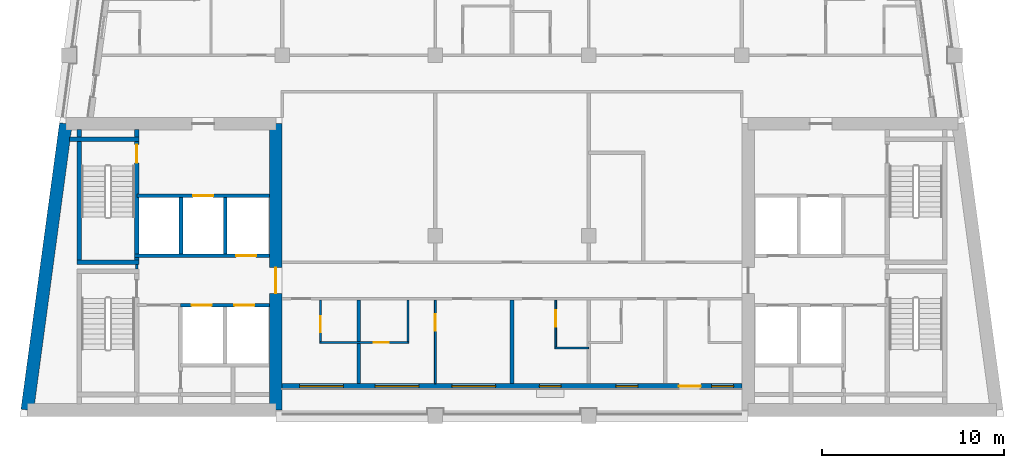
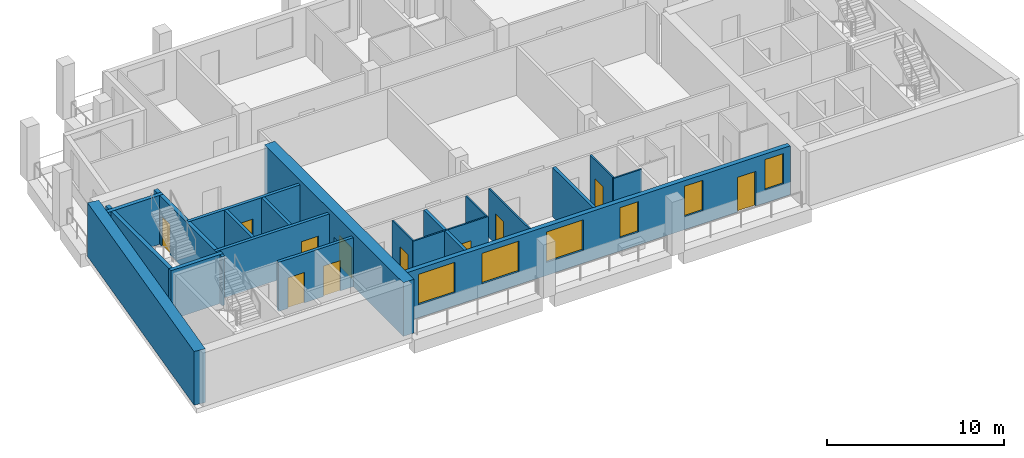
# One storey, part 2 of 10: 21 walls, 11 doors, 6 windows, 17 openings.
"""IFC4 building model written with IfcOpenShell, lengths in metres."""

from ifc_helpers import new_model, si_unit, direction, frame, frame_2d, origin, place, context, subcontext, project, spatial, rectangle, extrude, material, layer, layer_set, type_object, element, fill, save


model = new_model("IFC4")

# Units and contexts
model_context = context("Model", 3, precision=1e-05, world=origin(), true_north=direction((0.0, 1.0)))
body_context = subcontext(model_context, "Body", "Model", "MODEL_VIEW")
ifc_project = project(units=[si_unit("LENGTHUNIT", "METRE"), si_unit("AREAUNIT", "SQUARE_METRE"), si_unit("VOLUMEUNIT", "CUBIC_METRE"), si_unit("PLANEANGLEUNIT", "RADIAN"), si_unit("MASSUNIT", "GRAM", prefix="KILO")], contexts=[model_context])

# Site, building, storey
site_placement = place(None, origin())
site = spatial("IfcSite", under=ifc_project, at=site_placement, CompositionType="ELEMENT")
building_placement = place(site_placement, origin())
building = spatial("IfcBuilding", under=site, at=building_placement, Name="Candeia Pilgrim Tower and Theatre", CompositionType="ELEMENT")
storey_placement = place(building_placement, frame((0.0, 0.0, 284.89990234375)))
storey = spatial("IfcBuildingStorey", under=building, at=storey_placement, Name="L69", CompositionType="ELEMENT", Elevation=284.89990234375)

# Wall, opening, door
ifc_material_1 = material(Name="Concrete C40/50", Category="concrete")
ifc_layer_1 = layer(ifc_material_1, 0.699951171875)
ifc_layer_set_1 = layer_set([ifc_layer_1], Name="Core wall 700 C40/50")
wall_type_1 = type_object("IfcWallType", Name="Core wall 700 C40/50", PredefinedType="SHEAR", material=ifc_layer_set_1)
wall_1_placement = place(storey_placement, frame((100.449951171875, 132.050048828125, 0.0), z_axis=(0.0, 0.0, 1.0), x_axis=(0.0, -1.0, 0.0)))
wall_1 = element("IfcWall", 1, at=wall_1_placement, inside=storey, type_object=wall_type_1, Name="Core wall W2", PredefinedType="SHEAR", context=body_context, shape_type="SweptSolid", body=[
    extrude(rectangle(XDim=15.699951171875, YDim=0.699951171875, at=frame_2d((7.85009765625, 0.0))), origin(), (0.0, 0.0, 1.0), 3.7001953125),
])
opening_1_placement = place(wall_1_placement, frame((7.89990234375, 0.0, 0.0)))
opening_1 = element("IfcOpeningElement", 2, at=opening_1_placement, cuts=wall_1, Name="Opening L69-D037", PredefinedType="OPENING", context=body_context, shape_type="SweptSolid", body=[
    extrude(rectangle(XDim=1.39990234375, YDim=2.10009765625, at=frame_2d((0.699951171875, 1.050048828125))), frame((0.0, 0.35986328125, 0.0), z_axis=(0.0, -1.0, 0.0), x_axis=(1.0, 0.0, 0.0)), (0.0, 0.0, 1.0), 0.719970703125),
])
ifc_material_2 = material(Name="Steel fire door set", Category="steel")
door_type_1 = type_object("IfcDoorType", Name="D-1400-FD60", OperationType="NOTDEFINED", PredefinedType="DOOR", material=ifc_material_2)
door_1_placement = place(opening_1_placement, origin())
door_1 = element("IfcDoor", 3, at=door_1_placement, inside=storey, type_object=door_type_1, Name="Door L69-D037", OperationType="SINGLE_SWING_RIGHT", OverallHeight=2.10009765625, OverallWidth=1.39990234375, PredefinedType="DOOR", context=body_context, shape_type="SweptSolid", body=[
    extrude(rectangle(XDim=1.39990234375, YDim=2.10009765625, at=frame_2d((0.699951171875, 1.050048828125))), frame((0.0, 0.02490234375, 0.0), z_axis=(0.0, -1.0, 0.0), x_axis=(1.0, 0.0, 0.0)), (0.0, 0.0, 1.0), 0.050048828125),
])
fill(opening_1, door_1)

# Wall
wall_2_placement = place(storey_placement, frame((86.8232421875, 116.35009765625, 0.0), z_axis=(0.0, 0.0, 1.0), x_axis=(0.133416378607, 0.99106007382, 0.0)))
element("IfcWall", 4, at=wall_2_placement, inside=storey, type_object=wall_type_1, Name="Core wall W4", PredefinedType="SHEAR", context=body_context, shape_type="SweptSolid", body=[
    extrude(rectangle(XDim=15.841552734375, YDim=0.699951171875, at=frame_2d((7.9208984375, 0.0))), origin(), (0.0, 0.0, 1.0), 3.7001953125),
])

# Wall, openings, door, windows
ifc_material_3 = material(Name="Ceramic block masonry", Category="masonry")
ifc_layer_2 = layer(ifc_material_3, 0.300048828125)
ifc_layer_set_2 = layer_set([ifc_layer_2], Name="EW1 glazing-line wall 300")
wall_type_2 = type_object("IfcWallType", Name="EW1 glazing-line wall 300", PredefinedType="SOLIDWALL", material=ifc_layer_set_2)
wall_3_placement = place(storey_placement, frame((100.800048828125, 117.64990234375, 0.0), z_axis=(0.0, 0.0, 1.0), x_axis=(1.0, 0.0, 0.0)))
wall_3 = element("IfcWall", 5, at=wall_3_placement, inside=storey, type_object=wall_type_2, Name="External wall L69-1.0", PredefinedType="SOLIDWALL", context=body_context, shape_type="SweptSolid", body=[
    extrude(rectangle(XDim=25.199951171875, YDim=0.300048828125, at=frame_2d((12.60009765625, 0.0))), origin(), (0.0, 0.0, 1.0), 3.380126953125),
])
opening_2_placement = place(wall_3_placement, frame((0.949951171875, 0.0, 0.89990234375)))
opening_2 = element("IfcOpeningElement", 6, at=opening_2_placement, cuts=wall_3, Name="Opening W-A", PredefinedType="OPENING", context=body_context, shape_type="SweptSolid", body=[
    extrude(rectangle(XDim=2.39990234375, YDim=2.10009765625, at=frame_2d((1.199951171875, 1.050048828125))), frame((0.0, 0.16015625, 0.0), z_axis=(0.0, -1.0, 0.0), x_axis=(1.0, 0.0, 0.0)), (0.0, 0.0, 1.0), 0.320068359375),
])
opening_3_placement = place(wall_3_placement, frame((5.10009765625, 0.0, 0.89990234375)))
opening_3 = element("IfcOpeningElement", 7, at=opening_3_placement, cuts=wall_3, Name="Opening W-A", PredefinedType="OPENING", context=body_context, shape_type="SweptSolid", body=[
    extrude(rectangle(XDim=2.39990234375, YDim=2.10009765625, at=frame_2d((1.199951171875, 1.050048828125))), frame((0.0, 0.16015625, 0.0), z_axis=(0.0, -1.0, 0.0), x_axis=(1.0, 0.0, 0.0)), (0.0, 0.0, 1.0), 0.320068359375),
])
opening_4_placement = place(wall_3_placement, frame((9.300048828125, 0.0, 0.89990234375)))
opening_4 = element("IfcOpeningElement", 8, at=opening_4_placement, cuts=wall_3, Name="Opening W-A", PredefinedType="OPENING", context=body_context, shape_type="SweptSolid", body=[
    extrude(rectangle(XDim=2.39990234375, YDim=2.10009765625, at=frame_2d((1.199951171875, 1.050048828125))), frame((0.0, 0.16015625, 0.0), z_axis=(0.0, -1.0, 0.0), x_axis=(1.0, 0.0, 0.0)), (0.0, 0.0, 1.0), 0.320068359375),
])
opening_5_placement = place(wall_3_placement, frame((14.10009765625, 0.0, 0.89990234375)))
opening_5 = element("IfcOpeningElement", 9, at=opening_5_placement, cuts=wall_3, Name="Opening W-B", PredefinedType="OPENING", context=body_context, shape_type="SweptSolid", body=[
    extrude(rectangle(XDim=1.199951171875, YDim=2.10009765625, at=frame_2d((0.60009765625, 1.050048828125))), frame((0.0, 0.16015625, 0.0), z_axis=(0.0, -1.0, 0.0), x_axis=(1.0, 0.0, 0.0)), (0.0, 0.0, 1.0), 0.320068359375),
])
opening_6_placement = place(wall_3_placement, frame((18.300048828125, 0.0, 0.89990234375)))
opening_6 = element("IfcOpeningElement", 10, at=opening_6_placement, cuts=wall_3, Name="Opening W-B", PredefinedType="OPENING", context=body_context, shape_type="SweptSolid", body=[
    extrude(rectangle(XDim=1.199951171875, YDim=2.10009765625, at=frame_2d((0.60009765625, 1.050048828125))), frame((0.0, 0.16015625, 0.0), z_axis=(0.0, -1.0, 0.0), x_axis=(1.0, 0.0, 0.0)), (0.0, 0.0, 1.0), 0.320068359375),
])
opening_7_placement = place(wall_3_placement, frame((21.75, 0.0, 0.0)))
opening_7 = element("IfcOpeningElement", 11, at=opening_7_placement, cuts=wall_3, Name="Opening L69-ED646", PredefinedType="OPENING", context=body_context, shape_type="SweptSolid", body=[
    extrude(rectangle(XDim=1.199951171875, YDim=2.39990234375, at=frame_2d((0.60009765625, 1.199951171875))), frame((0.0, 0.16015625, 0.0), z_axis=(0.0, -1.0, 0.0), x_axis=(1.0, 0.0, 0.0)), (0.0, 0.0, 1.0), 0.320068359375),
])
opening_8_placement = place(wall_3_placement, frame((23.550048828125, 0.0, 0.89990234375)))
opening_8 = element("IfcOpeningElement", 12, at=opening_8_placement, cuts=wall_3, Name="Opening W-B", PredefinedType="OPENING", context=body_context, shape_type="SweptSolid", body=[
    extrude(rectangle(XDim=1.199951171875, YDim=2.10009765625, at=frame_2d((0.60009765625, 1.050048828125))), frame((0.0, 0.16015625, 0.0), z_axis=(0.0, -1.0, 0.0), x_axis=(1.0, 0.0, 0.0)), (0.0, 0.0, 1.0), 0.320068359375),
])
ifc_material_4 = material(Name="Aluminium framed glazed door", Category="aluminium")
door_type_2 = type_object("IfcDoorType", Name="Loggia door 1200x2400", OperationType="DOUBLE_DOOR_SINGLE_SWING", PredefinedType="DOOR", material=ifc_material_4)
door_2_placement = place(opening_7_placement, origin())
door_2 = element("IfcDoor", 13, at=door_2_placement, inside=storey, type_object=door_type_2, Name="Loggia door L69-ED646", OperationType="DOUBLE_DOOR_SINGLE_SWING", OverallHeight=2.39990234375, OverallWidth=1.199951171875, PredefinedType="DOOR", context=body_context, shape_type="SweptSolid", body=[
    extrude(rectangle(XDim=1.199951171875, YDim=2.39990234375, at=frame_2d((0.60009765625, 1.199951171875))), frame((0.0, 0.02490234375, 0.0), z_axis=(0.0, -1.0, 0.0), x_axis=(1.0, 0.0, 0.0)), (0.0, 0.0, 1.0), 0.050048828125),
])
fill(opening_7, door_2)
ifc_material_5 = material(Name="Aluminium framed double glazing", Category="aluminium")
window_type_1 = type_object("IfcWindowType", Name="W-A window 2400x2100", PartitioningType="DOUBLE_PANEL_VERTICAL", PredefinedType="WINDOW", material=ifc_material_5)
window_1_placement = place(opening_2_placement, origin())
window_1 = element("IfcWindow", 14, at=window_1_placement, inside=storey, type_object=window_type_1, Name="Window W-A L69", OverallHeight=2.10009765625, OverallWidth=2.39990234375, PartitioningType="SINGLE_PANEL", PredefinedType="WINDOW", context=body_context, shape_type="SweptSolid", body=[
    extrude(rectangle(XDim=2.39990234375, YDim=2.10009765625, at=frame_2d((1.199951171875, 1.050048828125))), frame((0.0, 0.030029296875, 0.0), z_axis=(0.0, -1.0, 0.0), x_axis=(1.0, 0.0, 0.0)), (0.0, 0.0, 1.0), 0.06005859375),
])
fill(opening_2, window_1)
window_2_placement = place(opening_3_placement, origin())
window_2 = element("IfcWindow", 15, at=window_2_placement, inside=storey, type_object=window_type_1, Name="Window W-A L69", OverallHeight=2.10009765625, OverallWidth=2.39990234375, PartitioningType="SINGLE_PANEL", PredefinedType="WINDOW", context=body_context, shape_type="SweptSolid", body=[
    extrude(rectangle(XDim=2.39990234375, YDim=2.10009765625, at=frame_2d((1.199951171875, 1.050048828125))), frame((0.0, 0.030029296875, 0.0), z_axis=(0.0, -1.0, 0.0), x_axis=(1.0, 0.0, 0.0)), (0.0, 0.0, 1.0), 0.06005859375),
])
fill(opening_3, window_2)
window_3_placement = place(opening_4_placement, origin())
window_3 = element("IfcWindow", 16, at=window_3_placement, inside=storey, type_object=window_type_1, Name="Window W-A L69", OverallHeight=2.10009765625, OverallWidth=2.39990234375, PartitioningType="SINGLE_PANEL", PredefinedType="WINDOW", context=body_context, shape_type="SweptSolid", body=[
    extrude(rectangle(XDim=2.39990234375, YDim=2.10009765625, at=frame_2d((1.199951171875, 1.050048828125))), frame((0.0, 0.030029296875, 0.0), z_axis=(0.0, -1.0, 0.0), x_axis=(1.0, 0.0, 0.0)), (0.0, 0.0, 1.0), 0.06005859375),
])
fill(opening_4, window_3)
window_type_2 = type_object("IfcWindowType", Name="W-B window 1200x2100", PartitioningType="SINGLE_PANEL", PredefinedType="WINDOW", material=ifc_material_5)
window_4_placement = place(opening_5_placement, origin())
window_4 = element("IfcWindow", 17, at=window_4_placement, inside=storey, type_object=window_type_2, Name="Window W-B L69", OverallHeight=2.10009765625, OverallWidth=1.199951171875, PartitioningType="SINGLE_PANEL", PredefinedType="WINDOW", context=body_context, shape_type="SweptSolid", body=[
    extrude(rectangle(XDim=1.199951171875, YDim=2.10009765625, at=frame_2d((0.60009765625, 1.050048828125))), frame((0.0, 0.030029296875, 0.0), z_axis=(0.0, -1.0, 0.0), x_axis=(1.0, 0.0, 0.0)), (0.0, 0.0, 1.0), 0.06005859375),
])
fill(opening_5, window_4)
window_5_placement = place(opening_6_placement, origin())
window_5 = element("IfcWindow", 18, at=window_5_placement, inside=storey, type_object=window_type_2, Name="Window W-B L69", OverallHeight=2.10009765625, OverallWidth=1.199951171875, PartitioningType="SINGLE_PANEL", PredefinedType="WINDOW", context=body_context, shape_type="SweptSolid", body=[
    extrude(rectangle(XDim=1.199951171875, YDim=2.10009765625, at=frame_2d((0.60009765625, 1.050048828125))), frame((0.0, 0.030029296875, 0.0), z_axis=(0.0, -1.0, 0.0), x_axis=(1.0, 0.0, 0.0)), (0.0, 0.0, 1.0), 0.06005859375),
])
fill(opening_6, window_5)
window_6_placement = place(opening_8_placement, origin())
window_6 = element("IfcWindow", 19, at=window_6_placement, inside=storey, type_object=window_type_2, Name="Window W-B L69", OverallHeight=2.10009765625, OverallWidth=1.199951171875, PartitioningType="SINGLE_PANEL", PredefinedType="WINDOW", context=body_context, shape_type="SweptSolid", body=[
    extrude(rectangle(XDim=1.199951171875, YDim=2.10009765625, at=frame_2d((0.60009765625, 1.050048828125))), frame((0.0, 0.030029296875, 0.0), z_axis=(0.0, -1.0, 0.0), x_axis=(1.0, 0.0, 0.0)), (0.0, 0.0, 1.0), 0.06005859375),
])
fill(opening_8, window_6)

# Wall
ifc_material_6 = material(Name="Gypsum board partition on steel studs", Category="steel")
ifc_layer_3 = layer(ifc_material_6, 0.10009765625)
ifc_layer_set_3 = layer_set([ifc_layer_3], Name="PW-100 room partition")
wall_type_3 = type_object("IfcWallType", Name="PW-100 room partition", PredefinedType="PARTITIONING", material=ifc_layer_set_3)
wall_4_placement = place(storey_placement, frame((115.75, 119.75, 0.0), z_axis=(0.0, 0.0, 1.0), x_axis=(1.0, 0.0, 0.0)))
element("IfcWall", 20, at=wall_4_placement, inside=storey, type_object=wall_type_3, Name="Room partition L69-009", PredefinedType="PARTITIONING", context=body_context, shape_type="SweptSolid", body=[
    extrude(rectangle(XDim=1.85009765625, YDim=0.10009765625, at=frame_2d((0.925048828125, 0.0))), origin(), (0.0, 0.0, 1.0), 3.380126953125),
])

# Wall, opening, door
wall_5_placement = place(storey_placement, frame((102.85009765625, 120.050048828125, 0.0), z_axis=(0.0, 0.0, 1.0), x_axis=(1.0, 0.0, 0.0)))
wall_5 = element("IfcWall", 21, at=wall_5_placement, inside=storey, type_object=wall_type_3, Name="Room partition L69-010", PredefinedType="PARTITIONING", context=body_context, shape_type="SweptSolid", body=[
    extrude(rectangle(XDim=4.89990234375, YDim=0.10009765625, at=frame_2d((2.449951171875, 0.0))), origin(), (0.0, 0.0, 1.0), 3.380126953125),
])
opening_9_placement = place(wall_5_placement, frame((2.97998046875, 0.0, 0.0)))
opening_9 = element("IfcOpeningElement", 22, at=opening_9_placement, cuts=wall_5, Name="Opening L69-D013", PredefinedType="OPENING", context=body_context, shape_type="SweptSolid", body=[
    extrude(rectangle(XDim=0.800048828125, YDim=2.10009765625, at=frame_2d((0.39990234375, 1.050048828125))), frame((0.0, 0.06005859375, 0.0), z_axis=(0.0, -1.0, 0.0), x_axis=(1.0, 0.0, 0.0)), (0.0, 0.0, 1.0), 0.1201171875),
])
ifc_material_7 = material(Name="Timber door leaf", Category="wood")
door_type_3 = type_object("IfcDoorType", Name="D-800", OperationType="NOTDEFINED", PredefinedType="DOOR", material=ifc_material_7)
door_3_placement = place(opening_9_placement, origin())
door_3 = element("IfcDoor", 23, at=door_3_placement, inside=storey, type_object=door_type_3, Name="Door L69-D013", OperationType="SINGLE_SWING_RIGHT", OverallHeight=2.10009765625, OverallWidth=0.800048828125, PredefinedType="DOOR", context=body_context, shape_type="SweptSolid", body=[
    extrude(rectangle(XDim=0.800048828125, YDim=2.10009765625, at=frame_2d((0.39990234375, 1.050048828125))), frame((0.0, 0.02490234375, 0.0), z_axis=(0.0, -1.0, 0.0), x_axis=(1.0, 0.0, 0.0)), (0.0, 0.0, 1.0), 0.050048828125),
])
fill(opening_9, door_3)

wall_6_placement = place(storey_placement, frame((102.89990234375, 120.10009765625, 0.0), z_axis=(0.0, 0.0, 1.0), x_axis=(0.0, 1.0, 0.0)))
wall_6 = element("IfcWall", 24, at=wall_6_placement, inside=storey, type_object=wall_type_3, Name="Room partition L69-052", PredefinedType="PARTITIONING", context=body_context, shape_type="SweptSolid", body=[
    extrude(rectangle(XDim=2.27490234375, YDim=0.10009765625, at=frame_2d((1.137451171875, 0.0))), origin(), (0.0, 0.0, 1.0), 3.380126953125),
])
opening_10_placement = place(wall_6_placement, frame((0.5, 0.0, 0.0)))
opening_10 = element("IfcOpeningElement", 25, at=opening_10_placement, cuts=wall_6, Name="Opening L69-D010", PredefinedType="OPENING", context=body_context, shape_type="SweptSolid", body=[
    extrude(rectangle(XDim=0.89990234375, YDim=2.10009765625, at=frame_2d((0.449951171875, 1.050048828125))), frame((0.0, 0.06005859375, 0.0), z_axis=(0.0, -1.0, 0.0), x_axis=(1.0, 0.0, 0.0)), (0.0, 0.0, 1.0), 0.1201171875),
])
door_type_4 = type_object("IfcDoorType", Name="D-900", OperationType="NOTDEFINED", PredefinedType="DOOR", material=ifc_material_7)
door_4_placement = place(opening_10_placement, origin())
door_4 = element("IfcDoor", 26, at=door_4_placement, inside=storey, type_object=door_type_4, Name="Door L69-D010", OperationType="SINGLE_SWING_LEFT", OverallHeight=2.10009765625, OverallWidth=0.89990234375, PredefinedType="DOOR", context=body_context, shape_type="SweptSolid", body=[
    extrude(rectangle(XDim=0.89990234375, YDim=2.10009765625, at=frame_2d((0.449951171875, 1.050048828125))), frame((0.0, 0.02490234375, 0.0), z_axis=(0.0, -1.0, 0.0), x_axis=(1.0, 0.0, 0.0)), (0.0, 0.0, 1.0), 0.050048828125),
])
fill(opening_10, door_4)

# Wall
wall_7_placement = place(storey_placement, frame((107.699951171875, 120.10009765625, 0.0), z_axis=(0.0, 0.0, 1.0), x_axis=(0.0, 1.0, 0.0)))
element("IfcWall", 27, at=wall_7_placement, inside=storey, type_object=wall_type_3, Name="Room partition L69-054", PredefinedType="PARTITIONING", context=body_context, shape_type="SweptSolid", body=[
    extrude(rectangle(XDim=2.27490234375, YDim=0.10009765625, at=frame_2d((1.137451171875, 0.0))), origin(), (0.0, 0.0, 1.0), 3.380126953125),
])

# Wall, opening, door
wall_8_placement = place(storey_placement, frame((109.199951171875, 117.7900390625, 0.0), z_axis=(0.0, 0.0, 1.0), x_axis=(0.0, 1.0, 0.0)))
wall_8 = element("IfcWall", 28, at=wall_8_placement, inside=storey, type_object=wall_type_3, Name="Room partition L69-055", PredefinedType="PARTITIONING", context=body_context, shape_type="SweptSolid", body=[
    extrude(rectangle(XDim=4.5849609375, YDim=0.10009765625, at=frame_2d((2.29248046875, 0.0))), origin(), (0.0, 0.0, 1.0), 3.380126953125),
])
opening_11_placement = place(wall_8_placement, frame((2.907958984375, 0.0, 0.0)))
opening_11 = element("IfcOpeningElement", 29, at=opening_11_placement, cuts=wall_8, Name="Opening L69-D012", PredefinedType="OPENING", context=body_context, shape_type="SweptSolid", body=[
    extrude(rectangle(XDim=0.89990234375, YDim=2.10009765625, at=frame_2d((0.449951171875, 1.050048828125))), frame((0.0, 0.06005859375, 0.0), z_axis=(0.0, -1.0, 0.0), x_axis=(1.0, 0.0, 0.0)), (0.0, 0.0, 1.0), 0.1201171875),
])
door_5_placement = place(opening_11_placement, origin())
door_5 = element("IfcDoor", 30, at=door_5_placement, inside=storey, type_object=door_type_4, Name="Door L69-D012", OperationType="SINGLE_SWING_LEFT", OverallHeight=2.10009765625, OverallWidth=0.89990234375, PredefinedType="DOOR", context=body_context, shape_type="SweptSolid", body=[
    extrude(rectangle(XDim=0.89990234375, YDim=2.10009765625, at=frame_2d((0.449951171875, 1.050048828125))), frame((0.0, 0.02490234375, 0.0), z_axis=(0.0, -1.0, 0.0), x_axis=(1.0, 0.0, 0.0)), (0.0, 0.0, 1.0), 0.050048828125),
])
fill(opening_11, door_5)

wall_9_placement = place(storey_placement, frame((115.800048828125, 119.800048828125, 0.0), z_axis=(0.0, 0.0, 1.0), x_axis=(0.0, 1.0, 0.0)))
wall_9 = element("IfcWall", 31, at=wall_9_placement, inside=storey, type_object=wall_type_3, Name="Room partition L69-062", PredefinedType="PARTITIONING", context=body_context, shape_type="SweptSolid", body=[
    extrude(rectangle(XDim=2.574951171875, YDim=0.10009765625, at=frame_2d((1.28759765625, 0.0))), origin(), (0.0, 0.0, 1.0), 3.380126953125),
])
opening_12_placement = place(wall_9_placement, frame((1.125, 0.0, 0.0)))
opening_12 = element("IfcOpeningElement", 32, at=opening_12_placement, cuts=wall_9, Name="Opening L69-D015", PredefinedType="OPENING", context=body_context, shape_type="SweptSolid", body=[
    extrude(rectangle(XDim=0.89990234375, YDim=2.10009765625, at=frame_2d((0.449951171875, 1.050048828125))), frame((0.0, 0.06005859375, 0.0), z_axis=(0.0, -1.0, 0.0), x_axis=(1.0, 0.0, 0.0)), (0.0, 0.0, 1.0), 0.1201171875),
])
door_6_placement = place(opening_12_placement, origin())
door_6 = element("IfcDoor", 33, at=door_6_placement, inside=storey, type_object=door_type_4, Name="Door L69-D015", OperationType="SINGLE_SWING_RIGHT", OverallHeight=2.10009765625, OverallWidth=0.89990234375, PredefinedType="DOOR", context=body_context, shape_type="SweptSolid", body=[
    extrude(rectangle(XDim=0.89990234375, YDim=2.10009765625, at=frame_2d((0.449951171875, 1.050048828125))), frame((0.0, 0.02490234375, 0.0), z_axis=(0.0, -1.0, 0.0), x_axis=(1.0, 0.0, 0.0)), (0.0, 0.0, 1.0), 0.050048828125),
])
fill(opening_12, door_6)

# Walls
ifc_layer_4 = layer(ifc_material_6, 0.14990234375)
ifc_layer_set_4 = layer_set([ifc_layer_4], Name="PW-150 lobby wall")
wall_type_4 = type_object("IfcWallType", Name="PW-150 lobby wall", PredefinedType="PARTITIONING", material=ifc_layer_set_4)
wall_10_placement = place(storey_placement, frame((92.826904296875, 124.074951171875, 0.0), z_axis=(0.0, 0.0, 1.0), x_axis=(0.0, 1.0, 0.0)))
element("IfcWall", 34, at=wall_10_placement, inside=storey, type_object=wall_type_4, Name="Lobby wall L69-040", PredefinedType="PARTITIONING", context=body_context, shape_type="SweptSolid", body=[
    extrude(rectangle(XDim=0.25, YDim=0.14990234375, at=frame_2d((0.125, 0.0))), origin(), (0.0, 0.0, 1.0), 3.380126953125),
])
ifc_layer_5 = layer(ifc_material_6, 0.199951171875)
ifc_layer_set_5 = layer_set([ifc_layer_5], Name="PW-200 party wall")
wall_type_5 = type_object("IfcWallType", Name="PW-200 party wall", PredefinedType="PARTITIONING", material=ifc_layer_set_5)
for number, where, z_axis, x_axis, name in (
    (35, (105.0, 117.7900390625, 0.0), (0.0, 0.0, 1.0), (0.0, 1.0, 0.0), "Party wall L69-053"),
    (36, (113.39990234375, 117.7900390625, 0.0), (0.0, 0.0, 1.0), (0.0, 1.0, 0.0), "Party wall L69-059"),
):
    element("IfcWall", number, at=place(storey_placement, frame(where, z_axis=z_axis, x_axis=x_axis)), inside=storey, type_object=wall_type_5, Name=name, PredefinedType="PARTITIONING", context=body_context, shape_type="SweptSolid", body=[
        extrude(rectangle(XDim=4.5849609375, YDim=0.199951171875, at=frame_2d((2.29248046875, 0.0))), origin(), (0.0, 0.0, 1.0), 3.380126953125),
    ])

# Wall, openings, doors
ifc_layer_6 = layer(ifc_material_1, 0.199951171875)
ifc_layer_set_6 = layer_set([ifc_layer_6], Name="SW-200 shaft wall")
wall_type_6 = type_object("IfcWallType", Name="SW-200 shaft wall", PredefinedType="PARTITIONING", material=ifc_layer_set_6)
wall_11_placement = place(storey_placement, frame((95.22705078125, 122.10009765625, 0.0), z_axis=(0.0, 0.0, 1.0), x_axis=(1.0, 0.0, 0.0)))
wall_11 = element("IfcWall", 37, at=wall_11_placement, inside=storey, type_object=wall_type_6, Name="Shaft wall L69-013", PredefinedType="PARTITIONING", context=body_context, shape_type="SweptSolid", body=[
    extrude(rectangle(XDim=4.873046875, YDim=0.199951171875, at=frame_2d((2.4365234375, 0.0))), origin(), (0.0, 0.0, 1.0), 3.380126953125),
])
opening_13_placement = place(wall_11_placement, frame((0.60498046875, 0.0, 0.0)))
opening_13 = element("IfcOpeningElement", 38, at=opening_13_placement, cuts=wall_11, Name="Opening L69-LD01", PredefinedType="OPENING", context=body_context, shape_type="SweptSolid", body=[
    extrude(rectangle(XDim=1.10009765625, YDim=2.10009765625, at=frame_2d((0.550048828125, 1.050048828125))), frame((0.0, 0.10986328125, 0.0), z_axis=(0.0, -1.0, 0.0), x_axis=(1.0, 0.0, 0.0)), (0.0, 0.0, 1.0), 0.219970703125),
])
opening_14_placement = place(wall_11_placement, frame((2.946044921875, 0.0, 0.0)))
opening_14 = element("IfcOpeningElement", 39, at=opening_14_placement, cuts=wall_11, Name="Opening L69-LD02", PredefinedType="OPENING", context=body_context, shape_type="SweptSolid", body=[
    extrude(rectangle(XDim=1.10009765625, YDim=2.10009765625, at=frame_2d((0.550048828125, 1.050048828125))), frame((0.0, 0.10986328125, 0.0), z_axis=(0.0, -1.0, 0.0), x_axis=(1.0, 0.0, 0.0)), (0.0, 0.0, 1.0), 0.219970703125),
])
ifc_material_8 = material(Name="Glazed aluminium landing door", Category="aluminium")
door_type_5 = type_object("IfcDoorType", Name="LD-1100-EI120", OperationType="SLIDING_TO_LEFT", PredefinedType="DOOR", material=ifc_material_8)
door_7_placement = place(opening_13_placement, origin())
door_7 = element("IfcDoor", 40, at=door_7_placement, inside=storey, type_object=door_type_5, Name="Landing door 01 L69", OperationType="SLIDING_TO_LEFT", OverallHeight=2.10009765625, OverallWidth=1.10009765625, PredefinedType="DOOR", context=body_context, shape_type="SweptSolid", body=[
    extrude(rectangle(XDim=1.10009765625, YDim=2.10009765625, at=frame_2d((0.550048828125, 1.050048828125))), frame((0.0, 0.02490234375, 0.0), z_axis=(0.0, -1.0, 0.0), x_axis=(1.0, 0.0, 0.0)), (0.0, 0.0, 1.0), 0.050048828125),
])
fill(opening_13, door_7)
door_8_placement = place(opening_14_placement, origin())
door_8 = element("IfcDoor", 41, at=door_8_placement, inside=storey, type_object=door_type_5, Name="Landing door 02 L69", OperationType="SLIDING_TO_LEFT", OverallHeight=2.10009765625, OverallWidth=1.10009765625, PredefinedType="DOOR", context=body_context, shape_type="SweptSolid", body=[
    extrude(rectangle(XDim=1.10009765625, YDim=2.10009765625, at=frame_2d((0.550048828125, 1.050048828125))), frame((0.0, 0.02490234375, 0.0), z_axis=(0.0, -1.0, 0.0), x_axis=(1.0, 0.0, 0.0)), (0.0, 0.0, 1.0), 0.050048828125),
])
fill(opening_14, door_8)

# Wall, opening, door
wall_12_placement = place(storey_placement, frame((92.701904296875, 124.800048828125, 0.0), z_axis=(0.0, 0.0, 1.0), x_axis=(1.0, 0.0, 0.0)))
wall_12 = element("IfcWall", 42, at=wall_12_placement, inside=storey, type_object=wall_type_6, Name="Shaft wall L69-023", PredefinedType="PARTITIONING", context=body_context, shape_type="SweptSolid", body=[
    extrude(rectangle(XDim=7.398193359375, YDim=0.199951171875, at=frame_2d((3.69921875, 0.0))), origin(), (0.0, 0.0, 1.0), 3.380126953125),
])
opening_15_placement = place(wall_12_placement, frame((5.572998046875, 0.0, 0.0)))
opening_15 = element("IfcOpeningElement", 43, at=opening_15_placement, cuts=wall_12, Name="Opening L69-LD04", PredefinedType="OPENING", context=body_context, shape_type="SweptSolid", body=[
    extrude(rectangle(XDim=1.10009765625, YDim=2.10009765625, at=frame_2d((0.550048828125, 1.050048828125))), frame((0.0, 0.10986328125, 0.0), z_axis=(0.0, -1.0, 0.0), x_axis=(1.0, 0.0, 0.0)), (0.0, 0.0, 1.0), 0.219970703125),
])
door_9_placement = place(opening_15_placement, origin())
door_9 = element("IfcDoor", 44, at=door_9_placement, inside=storey, type_object=door_type_5, Name="Landing door 04 L69", OperationType="SLIDING_TO_LEFT", OverallHeight=2.10009765625, OverallWidth=1.10009765625, PredefinedType="DOOR", context=body_context, shape_type="SweptSolid", body=[
    extrude(rectangle(XDim=1.10009765625, YDim=2.10009765625, at=frame_2d((0.550048828125, 1.050048828125))), frame((0.0, 0.02490234375, 0.0), z_axis=(0.0, -1.0, 0.0), x_axis=(1.0, 0.0, 0.0)), (0.0, 0.0, 1.0), 0.050048828125),
])
fill(opening_15, door_9)

wall_13_placement = place(storey_placement, frame((92.826904296875, 128.10009765625, 0.0), z_axis=(0.0, 0.0, 1.0), x_axis=(1.0, 0.0, 0.0)))
wall_13 = element("IfcWall", 45, at=wall_13_placement, inside=storey, type_object=wall_type_6, Name="Shaft wall L69-026", PredefinedType="PARTITIONING", context=body_context, shape_type="SweptSolid", body=[
    extrude(rectangle(XDim=7.273193359375, YDim=0.199951171875, at=frame_2d((3.63671875, 0.0))), origin(), (0.0, 0.0, 1.0), 3.380126953125),
])
opening_16_placement = place(wall_13_placement, frame((3.0859375, 0.0, 0.0)))
opening_16 = element("IfcOpeningElement", 46, at=opening_16_placement, cuts=wall_13, Name="Opening L69-LD03", PredefinedType="OPENING", context=body_context, shape_type="SweptSolid", body=[
    extrude(rectangle(XDim=1.10009765625, YDim=2.10009765625, at=frame_2d((0.550048828125, 1.050048828125))), frame((0.0, 0.10986328125, 0.0), z_axis=(0.0, -1.0, 0.0), x_axis=(1.0, 0.0, 0.0)), (0.0, 0.0, 1.0), 0.219970703125),
])
door_10_placement = place(opening_16_placement, origin())
door_10 = element("IfcDoor", 47, at=door_10_placement, inside=storey, type_object=door_type_5, Name="Landing door 03 L69", OperationType="SLIDING_TO_LEFT", OverallHeight=2.10009765625, OverallWidth=1.10009765625, PredefinedType="DOOR", context=body_context, shape_type="SweptSolid", body=[
    extrude(rectangle(XDim=1.10009765625, YDim=2.10009765625, at=frame_2d((0.550048828125, 1.050048828125))), frame((0.0, 0.02490234375, 0.0), z_axis=(0.0, -1.0, 0.0), x_axis=(1.0, 0.0, 0.0)), (0.0, 0.0, 1.0), 0.050048828125),
])
fill(opening_16, door_10)

# Walls
for number, where, z_axis, x_axis, name in (
    (48, (95.251220703125, 124.89990234375, 0.0), (0.0, 0.0, 1.0), (0.0, 1.0, 0.0), "Shaft wall L69-045"),
    (49, (97.67578125, 124.89990234375, 0.0), (0.0, 0.0, 1.0), (0.0, 1.0, 0.0), "Shaft wall L69-048"),
):
    element("IfcWall", number, at=place(storey_placement, frame(where, z_axis=z_axis, x_axis=x_axis)), inside=storey, type_object=wall_type_6, Name=name, PredefinedType="PARTITIONING", context=body_context, shape_type="SweptSolid", body=[
        extrude(rectangle(XDim=3.10009765625, YDim=0.199951171875, at=frame_2d((1.550048828125, 0.0))), origin(), (0.0, 0.0, 1.0), 3.380126953125),
    ])
ifc_layer_7 = layer(ifc_material_1, 0.25)
ifc_layer_set_7 = layer_set([ifc_layer_7], Name="SW-250 stair wall")
wall_type_7 = type_object("IfcWallType", Name="SW-250 stair wall", PredefinedType="PARTITIONING", material=ifc_layer_set_7)
wall_14_placement = place(storey_placement, frame((89.552001953125, 124.449951171875, 0.0), z_axis=(0.0, 0.0, 1.0), x_axis=(1.0, 0.0, 0.0)))
element("IfcWall", 50, at=wall_14_placement, inside=storey, type_object=wall_type_7, Name="Stair wall L69-020", PredefinedType="PARTITIONING", context=body_context, shape_type="SweptSolid", body=[
    extrude(rectangle(XDim=3.39990234375, YDim=0.25, at=frame_2d((1.699951171875, 0.0))), origin(), (0.0, 0.0, 1.0), 3.380126953125),
])
wall_15_placement = place(storey_placement, frame((89.1455078125, 131.199951171875, 0.0), z_axis=(0.0, 0.0, 1.0), x_axis=(1.0, 0.0, 0.0)))
element("IfcWall", 51, at=wall_15_placement, inside=storey, type_object=wall_type_7, Name="Stair wall L69-030", PredefinedType="PARTITIONING", context=body_context, shape_type="SweptSolid", body=[
    extrude(rectangle(XDim=3.806396484375, YDim=0.25, at=frame_2d((1.9033203125, 0.0))), origin(), (0.0, 0.0, 1.0), 3.380126953125),
])
wall_16_placement = place(storey_placement, frame((89.677001953125, 124.574951171875, 0.0), z_axis=(0.0, 0.0, 1.0), x_axis=(0.0, 1.0, 0.0)))
element("IfcWall", 52, at=wall_16_placement, inside=storey, type_object=wall_type_7, Name="Stair wall L69-039", PredefinedType="PARTITIONING", context=body_context, shape_type="SweptSolid", body=[
    extrude(rectangle(XDim=7.155029296875, YDim=0.25, at=frame_2d((3.57763671875, 0.0))), origin(), (0.0, 0.0, 1.0), 3.380126953125),
])

# Wall, opening, door
wall_17_placement = place(storey_placement, frame((92.826904296875, 124.574951171875, 0.0), z_axis=(0.0, 0.0, 1.0), x_axis=(0.0, 1.0, 0.0)))
wall_17 = element("IfcWall", 53, at=wall_17_placement, inside=storey, type_object=wall_type_7, Name="Stair wall L69-042", PredefinedType="PARTITIONING", context=body_context, shape_type="SweptSolid", body=[
    extrude(rectangle(XDim=7.155029296875, YDim=0.25, at=frame_2d((3.57763671875, 0.0))), origin(), (0.0, 0.0, 1.0), 3.380126953125),
])
opening_17_placement = place(wall_17_placement, frame((5.324951171875, 0.0, 0.0)))
opening_17 = element("IfcOpeningElement", 54, at=opening_17_placement, cuts=wall_17, Name="Opening L69-D003", PredefinedType="OPENING", context=body_context, shape_type="SweptSolid", body=[
    extrude(rectangle(XDim=1.0, YDim=2.10009765625, at=frame_2d((0.5, 1.050048828125))), frame((0.0, 0.135009765625, 0.0), z_axis=(0.0, -1.0, 0.0), x_axis=(1.0, 0.0, 0.0)), (0.0, 0.0, 1.0), 0.27001953125),
])
door_type_6 = type_object("IfcDoorType", Name="D-1000-FD60", OperationType="NOTDEFINED", PredefinedType="DOOR", material=ifc_material_2)
door_11_placement = place(opening_17_placement, origin())
door_11 = element("IfcDoor", 55, at=door_11_placement, inside=storey, type_object=door_type_6, Name="Door L69-D003", OperationType="SINGLE_SWING_RIGHT", OverallHeight=2.10009765625, OverallWidth=1.0, PredefinedType="DOOR", context=body_context, shape_type="SweptSolid", body=[
    extrude(rectangle(XDim=1.0, YDim=2.10009765625, at=frame_2d((0.5, 1.050048828125))), frame((0.0, 0.02490234375, 0.0), z_axis=(0.0, -1.0, 0.0), x_axis=(1.0, 0.0, 0.0)), (0.0, 0.0, 1.0), 0.050048828125),
])
fill(opening_17, door_11)

save(model, "model.ifc")
